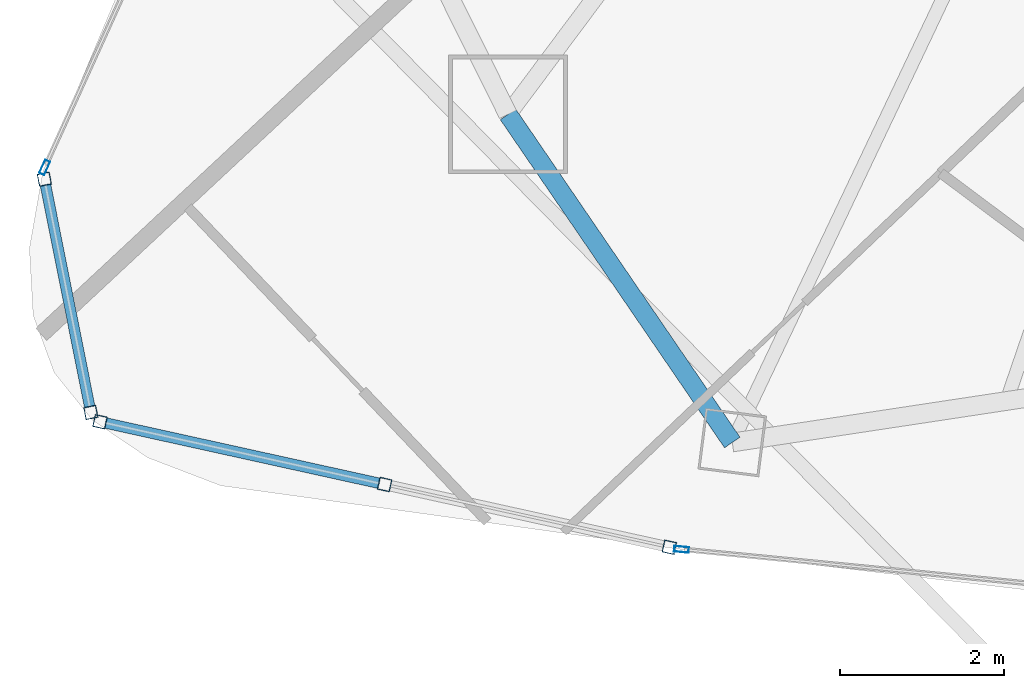
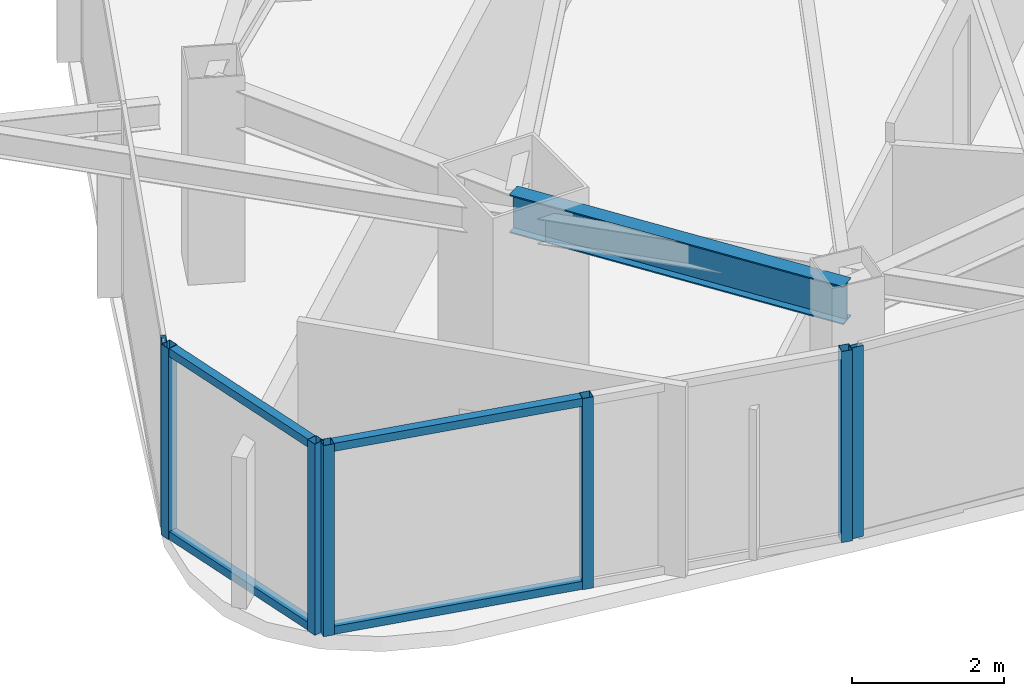
# One storey, part 2 of 29: 11 members, 1 beam, 4 elements without a shape of their own.
"""IFC4 building model written with IfcOpenShell, lengths in metres."""

from ifc_helpers import new_model, si_unit, direction, frame, origin, origin_2d, place, context, subcontext, project, spatial, hollow_rectangle, i_section, extrude, material, layer, layer_set, material_profile, profile_set, type_object, element, aggregate, save


model = new_model("IFC4")

# Units and contexts
model_context = context("Model", 3, precision=1e-05, world=origin(), true_north=direction((0.0, 1.0)))
body_context = subcontext(model_context, "Body", "Model", "MODEL_VIEW")
ifc_project = project(units=[si_unit("LENGTHUNIT", "METRE"), si_unit("AREAUNIT", "SQUARE_METRE"), si_unit("VOLUMEUNIT", "CUBIC_METRE"), si_unit("PLANEANGLEUNIT", "RADIAN"), si_unit("MASSUNIT", "GRAM", prefix="KILO")], contexts=[model_context])

# Site, building, storey
site_placement = place(None, origin())
site = spatial("IfcSite", under=ifc_project, at=site_placement, CompositionType="ELEMENT")
building_placement = place(site_placement, origin())
building = spatial("IfcBuilding", under=site, at=building_placement, Name="Orvanel Arch Residences", CompositionType="ELEMENT")
storey_placement = place(building_placement, frame((0.0, 0.0, 177.050048828125)))
storey = spatial("IfcBuildingStorey", under=building, at=storey_placement, Name="L50", CompositionType="ELEMENT", Elevation=177.050048828125)

# Curtain wall, members
ifc_material_1 = material(Name="Bronze-anodised aluminium AA6063-T6", Category="aluminium")
ifc_layer_1 = layer(ifc_material_1, 0.18994140625)
ifc_layer_set_1 = layer_set([ifc_layer_1], Name="Bronze-anodised aluminium AA6063-T6")
curtain_wall_type_1 = type_object("IfcCurtainWallType", Name="CW5-CRN-SYS", PredefinedType="NOTDEFINED", material=ifc_layer_set_1)
curtain_wall_1_placement = place(storey_placement, origin())
curtain_wall_1 = element("IfcCurtainWall", 1, at=curtain_wall_1_placement, inside=storey, type_object=curtain_wall_type_1, Name="L50 CW5-CRN-SYS Unitised Curtain Wall", PredefinedType="NOTDEFINED")
ifc_material_profile_1 = material_profile(ifc_material_1, hollow_rectangle(XDim=0.14990234375, YDim=0.14990234375, WallThickness=0.0048828125, at=origin_2d()), Name="ALU150x150x5")
ifc_profile_set_1 = profile_set([ifc_material_profile_1], Name="Bronze-anodised aluminium AA6063-T6")
member_type_1 = type_object("IfcMemberType", Name="MUL-150x150", PredefinedType="MULLION", material=ifc_profile_set_1)
member_1_placement = place(storey_placement, frame((8.52978515625, 9.558349609375, 0.0), z_axis=(0.0, 0.0, 1.0), x_axis=(0.980693707054, 0.19555012898, 0.0)))
member_1 = element("IfcMember", 2, at=member_1_placement, type_object=member_type_1, Name="CW-S5 mullion 1", PredefinedType="MULLION", context=body_context, shape_type="SweptSolid", body=[
    extrude(hollow_rectangle(XDim=0.14990234375, YDim=0.14990234375, WallThickness=0.0048828125, at=origin_2d()), origin(), (0.0, 0.0, 1.0), 3.06005859375),
])
member_2_placement = place(storey_placement, frame((9.098388671875, 6.70654296875, 0.0), z_axis=(0.0, 0.0, 1.0), x_axis=(0.980693707054, 0.19555012898, 0.0)))
member_2 = element("IfcMember", 3, at=member_2_placement, type_object=member_type_1, Name="CW-S5 mullion 2", PredefinedType="MULLION", context=body_context, shape_type="SweptSolid", body=[
    extrude(hollow_rectangle(XDim=0.14990234375, YDim=0.14990234375, WallThickness=0.0048828125, at=origin_2d()), origin(), (0.0, 0.0, 1.0), 3.06005859375),
])

curtain_wall_2_placement = place(storey_placement, origin())
curtain_wall_2 = element("IfcCurtainWall", 4, at=curtain_wall_2_placement, inside=storey, type_object=curtain_wall_type_1, Name="L50 CW5-CRN-SYS Unitised Curtain Wall", PredefinedType="NOTDEFINED")
member_3_placement = place(storey_placement, frame((9.210205078125, 6.5927734375, 0.0), z_axis=(0.0, 0.0, 1.0), x_axis=(0.2152863482, 0.97655096553, 0.0)))
member_3 = element("IfcMember", 5, at=member_3_placement, type_object=member_type_1, Name="CW-S5 mullion 1", PredefinedType="MULLION", context=body_context, shape_type="SweptSolid", body=[
    extrude(hollow_rectangle(XDim=0.14990234375, YDim=0.14990234375, WallThickness=0.0048828125, at=origin_2d()), origin(), (0.0, 0.0, 1.0), 3.06005859375),
])
member_4_placement = place(storey_placement, frame((12.69091796875, 5.825439453125, 0.0), z_axis=(0.0, 0.0, 1.0), x_axis=(0.2152863482, 0.97655096553, 0.0)))
member_4 = element("IfcMember", 6, at=member_4_placement, type_object=member_type_1, Name="CW-S5 mullion 2", PredefinedType="MULLION", context=body_context, shape_type="SweptSolid", body=[
    extrude(hollow_rectangle(XDim=0.14990234375, YDim=0.14990234375, WallThickness=0.0048828125, at=origin_2d()), origin(), (0.0, 0.0, 1.0), 3.06005859375),
])
member_5_placement = place(storey_placement, frame((16.171875, 5.05810546875, 0.0), z_axis=(0.0, 0.0, 1.0), x_axis=(0.2152863482, 0.97655096553, 0.0)))
member_5 = element("IfcMember", 7, at=member_5_placement, type_object=member_type_1, Name="CW-S5 mullion 3", PredefinedType="MULLION", context=body_context, shape_type="SweptSolid", body=[
    extrude(hollow_rectangle(XDim=0.14990234375, YDim=0.14990234375, WallThickness=0.0048828125, at=origin_2d()), origin(), (0.0, 0.0, 1.0), 3.06005859375),
])

# Curtain wall, member
ifc_layer_2 = layer(ifc_material_1, 0.179931640625)
ifc_layer_set_2 = layer_set([ifc_layer_2], Name="Bronze-anodised aluminium AA6063-T6")
curtain_wall_type_2 = type_object("IfcCurtainWallType", Name="CW3-MID-SYS", PredefinedType="NOTDEFINED", material=ifc_layer_set_2)
curtain_wall_3_placement = place(storey_placement, origin())
curtain_wall_3 = element("IfcCurtainWall", 8, at=curtain_wall_3_placement, inside=storey, type_object=curtain_wall_type_2, Name="L50 CW3-MID-SYS Unitised Curtain Wall", PredefinedType="NOTDEFINED")
ifc_material_profile_2 = material_profile(ifc_material_1, hollow_rectangle(XDim=0.070068359375, YDim=0.179931640625, WallThickness=0.00439453125, at=origin_2d()), Name="ALU180x70x4.5")
ifc_profile_set_2 = profile_set([ifc_material_profile_2], Name="Bronze-anodised aluminium AA6063-T6")
member_type_2 = type_object("IfcMemberType", Name="MUL-180x70", PredefinedType="MULLION", material=ifc_profile_set_2)
member_6_placement = place(storey_placement, frame((8.533447265625, 9.701904296875, 0.0), z_axis=(0.0, 0.0, 1.0), x_axis=(0.910855054441, -0.412726386119, 0.0)))
member_6 = element("IfcMember", 9, at=member_6_placement, type_object=member_type_2, Name="CW-S3 mullion 4", PredefinedType="MULLION", context=body_context, shape_type="SweptSolid", body=[
    extrude(hollow_rectangle(XDim=0.070068359375, YDim=0.179931640625, WallThickness=0.00439453125, at=origin_2d()), origin(), (0.0, 0.0, 1.0), 3.06005859375),
])
aggregate(curtain_wall_3, [member_6])

curtain_wall_4_placement = place(storey_placement, origin())
curtain_wall_4 = element("IfcCurtainWall", 10, at=curtain_wall_4_placement, inside=storey, type_object=curtain_wall_type_2, Name="L50 CW3-MID-SYS Unitised Curtain Wall", PredefinedType="NOTDEFINED")
member_7_placement = place(storey_placement, frame((16.31982421875, 5.032470703125, 0.0), z_axis=(0.0, 0.0, 1.0), x_axis=(0.097491445455, 0.995236362912, 0.0)))
member_7 = element("IfcMember", 11, at=member_7_placement, type_object=member_type_2, Name="CW-S3 mullion 1", PredefinedType="MULLION", context=body_context, shape_type="SweptSolid", body=[
    extrude(hollow_rectangle(XDim=0.070068359375, YDim=0.179931640625, WallThickness=0.00439453125, at=origin_2d()), origin(), (0.0, 0.0, 1.0), 3.06005859375),
])
aggregate(curtain_wall_4, [member_7])

# Beam
ifc_material_2 = material(Name="Structural steel AS/NZS 3679.1 Grade 300 (300 MPa)", Category="steel")
ifc_material_profile_3 = material_profile(ifc_material_2, i_section(OverallWidth=0.22900390625, OverallDepth=0.612060546875, WebThickness=0.011962890625, FlangeThickness=0.01953125, at=origin_2d()), Name="610UB125")
ifc_profile_set_3 = profile_set([ifc_material_profile_3], Name="Structural steel AS/NZS 3679.1 Grade 300 (300 MPa)")
beam_type = type_object("IfcBeamType", Name="SP-610UB", PredefinedType="SPANDREL", material=ifc_profile_set_3)
beam_placement = place(storey_placement, frame((14.198974609375, 10.35107421875, 2.75390625), z_axis=(0.564251579852, -0.825602903722, 0.0), x_axis=(0.825602903722, 0.564251579852, 0.0)))
element("IfcBeam", 12, at=beam_placement, inside=storey, type_object=beam_type, Name="L50 Perimeter Spandrel Beam 03", PredefinedType="SPANDREL", context=body_context, shape_type="SweptSolid", body=[
    extrude(i_section(OverallWidth=0.22900390625, OverallDepth=0.612060546875, WebThickness=0.011962890625, FlangeThickness=0.01953125, at=origin_2d()), origin(), (0.0, 0.0, 1.0), 4.859375),
])

# Member
ifc_material_profile_4 = material_profile(ifc_material_1, hollow_rectangle(XDim=0.1298828125, YDim=0.1298828125, WallThickness=0.00439453125, at=origin_2d()), Name="ALU130x130x4.5")
ifc_profile_set_4 = profile_set([ifc_material_profile_4], Name="Bronze-anodised aluminium AA6063-T6")
member_type_3 = type_object("IfcMemberType", Name="TRN-130x130", PredefinedType="USERDEFINED", material=ifc_profile_set_4)
member_8_placement = place(storey_placement, frame((8.54443359375, 9.48486328125, 0.06494140625), z_axis=(0.195537326288, -0.980696259822, 0.0), x_axis=(0.980696259822, 0.195537326288, 0.0)))
member_8 = element("IfcMember", 13, at=member_8_placement, type_object=member_type_3, Name="CW-S5 transom 1.1", ObjectType="TRANSOM", PredefinedType="USERDEFINED", context=body_context, shape_type="SweptSolid", body=[
    extrude(hollow_rectangle(XDim=0.1298828125, YDim=0.1298828125, WallThickness=0.00439453125, at=origin_2d()), origin(), (0.0, 0.0, 1.0), 2.758056640625),
])

member_9_placement = place(storey_placement, frame((8.54443359375, 9.48486328125, 2.994873046875), z_axis=(0.195537326288, -0.980696259822, 0.0), x_axis=(0.980696259822, 0.195537326288, 0.0)))
member_9 = element("IfcMember", 14, at=member_9_placement, type_object=member_type_3, Name="CW-S5 transom 1.2", ObjectType="TRANSOM", PredefinedType="USERDEFINED", context=body_context, shape_type="SweptSolid", body=[
    extrude(hollow_rectangle(XDim=0.1298828125, YDim=0.1298828125, WallThickness=0.00439453125, at=origin_2d()), origin(), (0.0, 0.0, 1.0), 2.758056640625),
])

aggregate(curtain_wall_1, [member_1, member_2, member_8, member_9])

member_10_placement = place(storey_placement, frame((9.283447265625, 6.57666015625, 0.06494140625), z_axis=(0.976547435533, -0.215302359844, 0.0), x_axis=(0.215302359844, 0.976547435533, 0.0)))
member_10 = element("IfcMember", 15, at=member_10_placement, type_object=member_type_3, Name="CW-S5 transom 1.1", ObjectType="TRANSOM", PredefinedType="USERDEFINED", context=body_context, shape_type="SweptSolid", body=[
    extrude(hollow_rectangle(XDim=0.1298828125, YDim=0.1298828125, WallThickness=0.00439453125, at=origin_2d()), origin(), (0.0, 0.0, 1.0), 3.414306640625),
])

member_11_placement = place(storey_placement, frame((9.283447265625, 6.57666015625, 2.994873046875), z_axis=(0.976547435533, -0.215302359844, 0.0), x_axis=(0.215302359844, 0.976547435533, 0.0)))
member_11 = element("IfcMember", 16, at=member_11_placement, type_object=member_type_3, Name="CW-S5 transom 1.2", ObjectType="TRANSOM", PredefinedType="USERDEFINED", context=body_context, shape_type="SweptSolid", body=[
    extrude(hollow_rectangle(XDim=0.1298828125, YDim=0.1298828125, WallThickness=0.00439453125, at=origin_2d()), origin(), (0.0, 0.0, 1.0), 3.414306640625),
])

aggregate(curtain_wall_2, [member_3, member_4, member_5, member_10, member_11])

save(model, "model.ifc")
